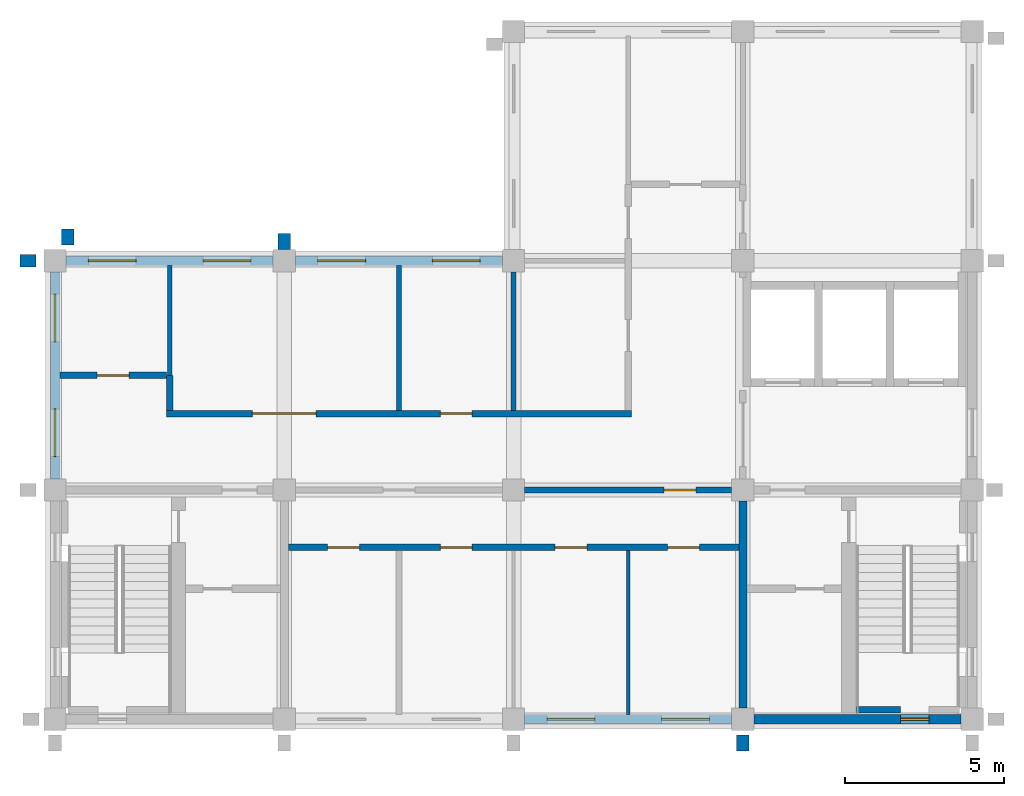
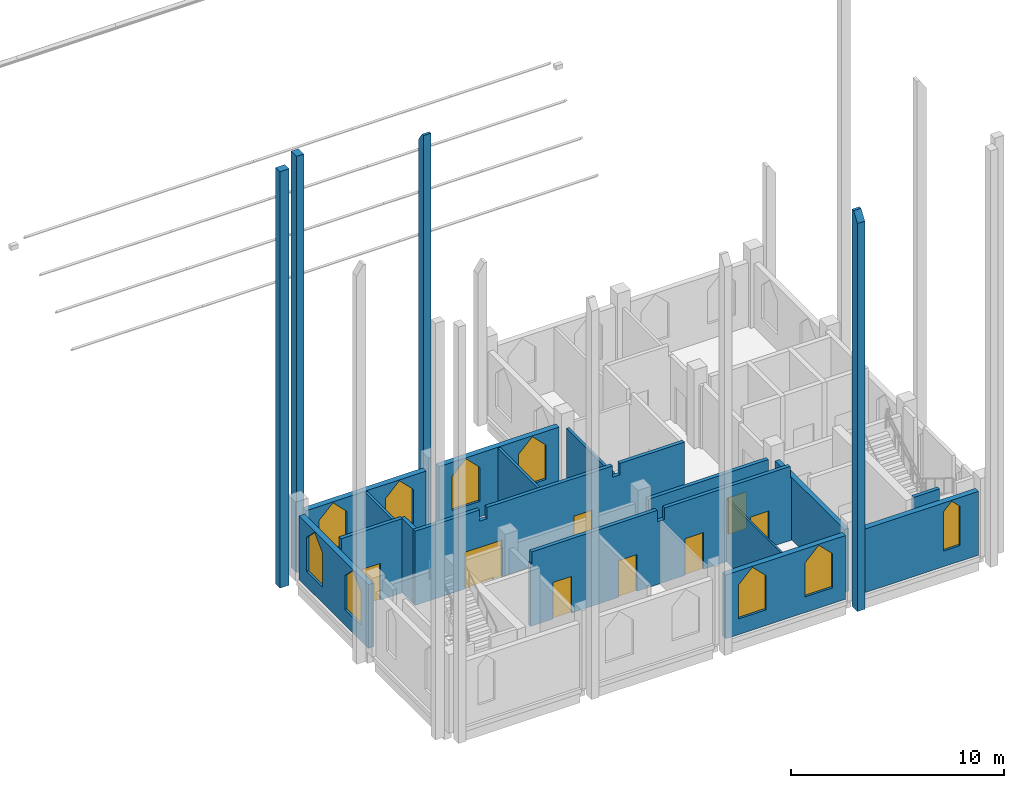
# One storey, part 4 of 7: 20 walls, 9 windows, 8 doors, 17 openings.
"""IFC4 building model written with IfcOpenShell, lengths in metres."""

import ifcopenshell
import ifcopenshell.guid

model = None  # the IFC model being written
_history = None  # IfcOwnerHistory: only IFC2X3 demands one
_inside = {}  # id of a spatial element -> (the spatial element, [elements in it])
_under = {}  # id of a project, library or spatial element -> (it, [spatial elements below it])
_declared = {}  # id of a project -> (the project, [libraries it declares])
_typed = {}  # id of a type object -> (the type object, [elements of that type])
_made_of = {}  # id of a material, layer set ... -> (it, [elements and type objects made of it])


def new_model(schema):
    """Start an empty IFC model of exactly this schema.

    Asked for "IFC4X3", IfcOpenShell would pick the latest addendum, in which some entities
    have other attributes; the version numbers below select the first issue.
    IFC2X3 requires an IfcOwnerHistory on every rooted entity: one is made here for all.
    """
    global model, _history
    if schema == "IFC4X3":
        model = ifcopenshell.file(schema_version=(4, 3, 0, 0))
    else:
        model = ifcopenshell.file(schema=schema)
    _inside.clear()
    _under.clear()
    _declared.clear()
    _typed.clear()
    _made_of.clear()
    _history = None
    if model.schema == "IFC2X3":
        org = make("IfcOrganization", Name="unknown")
        user = make(
            "IfcPersonAndOrganization",
            ThePerson=make("IfcPerson", FamilyName="unknown"),
            TheOrganization=org,
        )
        app = make(
            "IfcApplication",
            ApplicationDeveloper=org,
            Version="unknown",
            ApplicationFullName="unknown",
            ApplicationIdentifier="unknown",
        )
        _history = make(
            "IfcOwnerHistory",
            OwningUser=user,
            OwningApplication=app,
            ChangeAction="ADDED",
            CreationDate=0,
        )
    return model


def make(cls, **values):
    """One entity of the class cls with the attributes given. An attribute that is None is left unset."""
    return model.create_entity(
        cls, **{name: value for name, value in values.items() if value is not None}
    )


def rooted(cls, **values):
    """An entity with a GlobalId (a new one), such as an element, a storey or a relation."""
    return make(cls, GlobalId=ifcopenshell.guid.new(), OwnerHistory=_history, **values)


def si_unit(unit_type, name, prefix=None):
    """IfcSIUnit, for example si_unit("LENGTHUNIT", "METRE", prefix="MILLI")."""
    return make("IfcSIUnit", UnitType=unit_type, Prefix=prefix, Name=name)


def assignment(units):
    """IfcUnitAssignment: the units of a project."""
    return None if units is None else make("IfcUnitAssignment", Units=units)


def point(xyz):
    """IfcCartesianPoint."""
    return None if xyz is None else make("IfcCartesianPoint", Coordinates=xyz)


def direction(xyz):
    """IfcDirection."""
    return None if xyz is None else make("IfcDirection", DirectionRatios=xyz)


def frame(location, z_axis=None, x_axis=None):
    """IfcAxis2Placement3D, a coordinate frame: its origin and axes. An axis left out is left unset."""
    return make(
        "IfcAxis2Placement3D",
        Location=point(location),
        Axis=direction(z_axis),
        RefDirection=direction(x_axis),
    )


def frame_2d(location, x_axis=None):
    """IfcAxis2Placement2D, a coordinate frame in the plane: its origin and x axis."""
    return make(
        "IfcAxis2Placement2D", Location=point(location), RefDirection=direction(x_axis)
    )


def origin():
    """The frame at (0, 0, 0) with its axes left unset."""
    return frame((0.0, 0.0, 0.0))


def place(relative_to, where):
    """IfcLocalPlacement: puts the frame where relative to a parent placement (None: the world)."""
    return make(
        "IfcLocalPlacement", PlacementRelTo=relative_to, RelativePlacement=where
    )


def context(
    kind, dimensions, precision=None, world=None, true_north=None, identifier=None
):
    """IfcGeometricRepresentationContext, for example the 3D "Model" context."""
    return make(
        "IfcGeometricRepresentationContext",
        ContextIdentifier=identifier,
        ContextType=kind,
        CoordinateSpaceDimension=dimensions,
        Precision=precision,
        WorldCoordinateSystem=world,
        TrueNorth=true_north,
    )


def subcontext(parent, identifier, kind, view, scale=None):
    """IfcGeometricRepresentationSubContext, for example "Body" below "Model"."""
    return make(
        "IfcGeometricRepresentationSubContext",
        ContextIdentifier=identifier,
        ContextType=kind,
        ParentContext=parent,
        TargetScale=scale,
        TargetView=view,
    )


def project(units=None, contexts=None):
    """IfcProject with its units and contexts."""
    return rooted(
        "IfcProject",
        Name="project",
        RepresentationContexts=contexts,
        UnitsInContext=assignment(units),
    )


def spatial(cls, under=None, at=None, **own):
    """A site, building, storey or space (cls), placed at a placement, below another one or the project."""
    s = rooted(cls, ObjectPlacement=at, **own)
    if under is not None:
        _under.setdefault(under.id(), (under, []))[1].append(s)
    return s


def polyline(points):
    """IfcPolyline through the points."""
    return make("IfcPolyline", Points=[point(p) for p in points])


def profile(cls, at=None, kind="AREA", **sizes):
    """A parametric profile (cls). Its sizes go by their IFC names, for example OverallWidth=200.0."""
    return make(cls, ProfileType=kind, Position=at, **sizes)


def rectangle(**sizes):
    """IfcRectangleProfileDef."""
    return profile("IfcRectangleProfileDef", **sizes)


def outline(outer, holes=None, kind="AREA"):
    """IfcArbitraryClosedProfileDef: a profile drawn as a closed curve; with holes, ...WithVoids."""
    if holes is None:
        return make("IfcArbitraryClosedProfileDef", ProfileType=kind, OuterCurve=outer)
    return make(
        "IfcArbitraryProfileDefWithVoids",
        ProfileType=kind,
        OuterCurve=outer,
        InnerCurves=holes,
    )


def extrude(swept, where, along, depth):
    """IfcExtrudedAreaSolid: the profile swept, set in the frame where, extruded along a direction by depth."""
    return make(
        "IfcExtrudedAreaSolid",
        SweptArea=swept,
        Position=where,
        ExtrudedDirection=direction(along),
        Depth=depth,
    )


def shape(context_of_items, identifier, shape_type, items):
    """IfcShapeRepresentation: the items that make up one representation, for example the "Body"."""
    return make(
        "IfcShapeRepresentation",
        ContextOfItems=context_of_items,
        RepresentationIdentifier=identifier,
        RepresentationType=shape_type,
        Items=items,
    )


def material(Name=None, Category=None):
    """IfcMaterial."""
    return make("IfcMaterial", Name=Name, Category=Category)


def layer(
    of_material, thickness, ventilated=None, Name=None, Category=None, Priority=None
):
    """IfcMaterialLayer: one layer of a wall or slab, of a material (None: an air gap)."""
    return make(
        "IfcMaterialLayer",
        Material=of_material,
        LayerThickness=thickness,
        IsVentilated=ventilated,
        Name=Name,
        Category=Category,
        Priority=Priority,
    )


def layer_set(layers, Name=None):
    """IfcMaterialLayerSet."""
    return make("IfcMaterialLayerSet", MaterialLayers=layers, LayerSetName=Name)


def made_of(thing, what):
    """Note that an element or type object is made of a material, layer set ...; save() writes the relation."""
    if what is not None:
        _made_of.setdefault(what.id(), (what, []))[1].append(thing)
    return thing


def type_object(cls, material=None, **own):
    """A type object (cls), such as IfcWallType, which elements share."""
    return made_of(rooted(cls, **own), material)


def element(
    cls,
    number,
    at=None,
    inside=None,
    cuts=None,
    type_object=None,
    material=None,
    context=None,
    identifier="Body",
    shape_type=None,
    held_by="IfcProductDefinitionShape",
    body=None,
    shapes=None,
    **own,
):
    """One element of the class cls, such as IfcWall. Its Tag is "e" and its number.

    at: its placement. inside: the storey or other place that contains it. cuts: it is an
    opening in that element (IfcRelVoidsElement). A single representation is given by context,
    identifier, shape_type and body (its items); several are given by shapes. held_by: the class
    of the entity that holds the representations. save() writes the other relations.
    """
    e = rooted(cls, Tag="e%d" % number, ObjectPlacement=at, **own)
    if body is not None:
        shapes = [shape(context, identifier, shape_type, body)]
    if shapes is not None:
        e.Representation = make(held_by, Representations=shapes)
    if inside is not None:
        _inside.setdefault(inside.id(), (inside, []))[1].append(e)
    if cuts is not None:
        rooted(
            "IfcRelVoidsElement", RelatingBuildingElement=cuts, RelatedOpeningElement=e
        )
    if type_object is not None:
        _typed.setdefault(type_object.id(), (type_object, []))[1].append(e)
    return made_of(e, material)


def fill(opening, filler):
    """IfcRelFillsElement: the door or window that sits in an opening."""
    return rooted(
        "IfcRelFillsElement",
        RelatingOpeningElement=opening,
        RelatedBuildingElement=filler,
    )


def aggregate(whole, parts):
    """IfcRelAggregates: a whole, such as a stair, and the parts it consists of."""
    return rooted("IfcRelAggregates", RelatingObject=whole, RelatedObjects=parts)


def save(model, path):
    """Write the relations noted so far, then the file.

    IfcRelAggregates (storeys below a building ...), IfcRelContainedInSpatialStructure (elements
    in a storey), IfcRelDefinesByType, IfcRelAssociatesMaterial and IfcRelDeclares: one each for
    every whole, place, type object, material and project.
    """
    for whole, parts in _under.values():
        aggregate(whole, parts)
    for where, things in _inside.values():
        rooted(
            "IfcRelContainedInSpatialStructure",
            RelatedElements=things,
            RelatingStructure=where,
        )
    for kind, things in _typed.values():
        rooted("IfcRelDefinesByType", RelatedObjects=things, RelatingType=kind)
    for what, things in _made_of.values():
        rooted("IfcRelAssociatesMaterial", RelatedObjects=things, RelatingMaterial=what)
    for by, libraries in _declared.values():
        rooted("IfcRelDeclares", RelatingContext=by, RelatedDefinitions=libraries)
    model.write(path)


model = new_model("IFC4")

# Units and contexts
model_context = context("Model", 3, precision=1e-05, world=origin(), true_north=direction((0.0, 1.0)))
body_context = subcontext(model_context, "Body", "Model", "MODEL_VIEW")
ifc_project = project(units=[si_unit("LENGTHUNIT", "METRE"), si_unit("AREAUNIT", "SQUARE_METRE"), si_unit("VOLUMEUNIT", "CUBIC_METRE"), si_unit("PLANEANGLEUNIT", "RADIAN"), si_unit("MASSUNIT", "GRAM", prefix="KILO")], contexts=[model_context])

# Site, building, storey
site_placement = place(None, origin())
site = spatial("IfcSite", under=ifc_project, at=site_placement, CompositionType="ELEMENT")
building_placement = place(site_placement, origin())
building = spatial("IfcBuilding", under=site, at=building_placement, Name="Silangan Lancet Faculty of Sciences", CompositionType="ELEMENT")
storey_placement = place(building_placement, frame((0.0, 0.0, 58.800048828125)))
storey = spatial("IfcBuildingStorey", under=building, at=storey_placement, Name="L12", CompositionType="ELEMENT", Elevation=58.800048828125)

# Wall, openings, windows
ifc_material_1 = material(Name="Concrete C40/50 precast", Category="concrete")
ifc_layer_1 = layer(ifc_material_1, 0.300048828125)
ifc_layer_set_1 = layer_set([ifc_layer_1], Name="Concrete C40/50 precast")
wall_type_1 = type_object("IfcWallType", Name="EW1 Precast cladding wall", PredefinedType="STANDARD", material=ifc_layer_set_1)
wall_1_placement = place(storey_placement, frame((0.0, 7.550048828125, 0.0), z_axis=(0.0, 0.0, 1.0), x_axis=(0.0, 1.0, 0.0)))
wall_1 = element("IfcWall", 1, at=wall_1_placement, inside=storey, type_object=wall_type_1, Name="EW-L12-W-ST-U-01", PredefinedType="STANDARD", context=body_context, shape_type="SweptSolid", body=[
    extrude(rectangle(XDim=6.5, YDim=0.300048828125, at=frame_2d((3.25, 0.0))), origin(), (0.0, 0.0, 1.0), 3.64990234375),
])
opening_1_placement = place(wall_1_placement, frame((0.699951171875, 0.0, 0.89990234375)))
opening_1 = element("IfcOpeningElement", 2, at=opening_1_placement, cuts=wall_1, Name="Opening W23", PredefinedType="OPENING", context=body_context, shape_type="SweptSolid", body=[
    extrude(outline(polyline([(0.0, 0.0), (1.5, 0.0), (1.5, 1.949951171875), (0.75, 2.699951171875), (0.0, 1.949951171875), (0.0, 0.0)])), frame((0.0, 0.159912109375, 0.0), z_axis=(0.0, -1.0, 0.0), x_axis=(1.0, 0.0, 0.0)), (0.0, 0.0, 1.0), 0.320068359375),
])
opening_2_placement = place(wall_1_placement, frame((4.300048828125, 0.0, 0.89990234375)))
opening_2 = element("IfcOpeningElement", 3, at=opening_2_placement, cuts=wall_1, Name="Opening W23", PredefinedType="OPENING", context=body_context, shape_type="SweptSolid", body=[
    extrude(outline(polyline([(0.0, 0.0), (1.5, 0.0), (1.5, 1.949951171875), (0.75, 2.699951171875), (0.0, 1.949951171875), (0.0, 0.0)])), frame((0.0, 0.159912109375, 0.0), z_axis=(0.0, -1.0, 0.0), x_axis=(1.0, 0.0, 0.0)), (0.0, 0.0, 1.0), 0.320068359375),
])
ifc_material_2 = material(Name="Aluminium frame, laminated double glazing", Category="aluminium")
window_type_1 = type_object("IfcWindowType", Name="W23 Lancet window 1500 x 2700", PartitioningType="SINGLE_PANEL", PredefinedType="WINDOW", material=ifc_material_2)
window_1_placement = place(opening_1_placement, origin())
window_1 = element("IfcWindow", 4, at=window_1_placement, inside=storey, type_object=window_type_1, Name="WIN-L12-W-ST-U-01a", OverallHeight=2.699951171875, OverallWidth=1.5, PartitioningType="SINGLE_PANEL", PredefinedType="WINDOW", context=body_context, shape_type="SweptSolid", body=[
    extrude(outline(polyline([(0.0, 0.0), (1.5, 0.0), (1.5, 1.949951171875), (0.75, 2.699951171875), (0.0, 1.949951171875), (0.0, 0.0)])), frame((0.0, 0.030029296875, 0.0), z_axis=(0.0, -1.0, 0.0), x_axis=(1.0, 0.0, 0.0)), (0.0, 0.0, 1.0), 0.06005859375),
])
fill(opening_1, window_1)
window_2_placement = place(opening_2_placement, origin())
window_2 = element("IfcWindow", 5, at=window_2_placement, inside=storey, type_object=window_type_1, Name="WIN-L12-W-ST-U-01b", OverallHeight=2.699951171875, OverallWidth=1.5, PartitioningType="SINGLE_PANEL", PredefinedType="WINDOW", context=body_context, shape_type="SweptSolid", body=[
    extrude(outline(polyline([(0.0, 0.0), (1.5, 0.0), (1.5, 1.949951171875), (0.75, 2.699951171875), (0.0, 1.949951171875), (0.0, 0.0)])), frame((0.0, 0.030029296875, 0.0), z_axis=(0.0, -1.0, 0.0), x_axis=(1.0, 0.0, 0.0)), (0.0, 0.0, 1.0), 0.06005859375),
])
fill(opening_2, window_2)

wall_2_placement = place(storey_placement, frame((14.75, 0.0, 0.0), z_axis=(0.0, 0.0, 1.0), x_axis=(1.0, 0.0, 0.0)))
wall_2 = element("IfcWall", 6, at=wall_2_placement, inside=storey, type_object=wall_type_1, Name="EW-L12-S-ST-02", PredefinedType="STANDARD", context=body_context, shape_type="SweptSolid", body=[
    extrude(rectangle(XDim=6.5, YDim=0.300048828125, at=frame_2d((3.25, 0.0))), origin(), (0.0, 0.0, 1.0), 3.64990234375),
])
opening_3_placement = place(wall_2_placement, frame((0.699951171875, 0.0, 0.89990234375)))
opening_3 = element("IfcOpeningElement", 7, at=opening_3_placement, cuts=wall_2, Name="Opening W23", PredefinedType="OPENING", context=body_context, shape_type="SweptSolid", body=[
    extrude(outline(polyline([(0.0, 0.0), (1.5, 0.0), (1.5, 1.949951171875), (0.75, 2.699951171875), (0.0, 1.949951171875), (0.0, 0.0)])), frame((0.0, 0.159912109375, 0.0), z_axis=(0.0, -1.0, 0.0), x_axis=(1.0, 0.0, 0.0)), (0.0, 0.0, 1.0), 0.320068359375),
])
opening_4_placement = place(wall_2_placement, frame((4.300048828125, 0.0, 0.89990234375)))
opening_4 = element("IfcOpeningElement", 8, at=opening_4_placement, cuts=wall_2, Name="Opening W23", PredefinedType="OPENING", context=body_context, shape_type="SweptSolid", body=[
    extrude(outline(polyline([(0.0, 0.0), (1.5, 0.0), (1.5, 1.949951171875), (0.75, 2.699951171875), (0.0, 1.949951171875), (0.0, 0.0)])), frame((0.0, 0.159912109375, 0.0), z_axis=(0.0, -1.0, 0.0), x_axis=(1.0, 0.0, 0.0)), (0.0, 0.0, 1.0), 0.320068359375),
])
window_3_placement = place(opening_3_placement, origin())
window_3 = element("IfcWindow", 9, at=window_3_placement, inside=storey, type_object=window_type_1, Name="WIN-L12-S-ST-02a", OverallHeight=2.699951171875, OverallWidth=1.5, PartitioningType="SINGLE_PANEL", PredefinedType="WINDOW", context=body_context, shape_type="SweptSolid", body=[
    extrude(outline(polyline([(0.0, 0.0), (1.5, 0.0), (1.5, 1.949951171875), (0.75, 2.699951171875), (0.0, 1.949951171875), (0.0, 0.0)])), frame((0.0, 0.030029296875, 0.0), z_axis=(0.0, -1.0, 0.0), x_axis=(1.0, 0.0, 0.0)), (0.0, 0.0, 1.0), 0.06005859375),
])
fill(opening_3, window_3)
window_4_placement = place(opening_4_placement, origin())
window_4 = element("IfcWindow", 10, at=window_4_placement, inside=storey, type_object=window_type_1, Name="WIN-L12-S-ST-02b", OverallHeight=2.699951171875, OverallWidth=1.5, PartitioningType="SINGLE_PANEL", PredefinedType="WINDOW", context=body_context, shape_type="SweptSolid", body=[
    extrude(outline(polyline([(0.0, 0.0), (1.5, 0.0), (1.5, 1.949951171875), (0.75, 2.699951171875), (0.0, 1.949951171875), (0.0, 0.0)])), frame((0.0, 0.030029296875, 0.0), z_axis=(0.0, -1.0, 0.0), x_axis=(1.0, 0.0, 0.0)), (0.0, 0.0, 1.0), 0.06005859375),
])
fill(opening_4, window_4)

wall_3_placement = place(storey_placement, frame((14.050048828125, 14.39990234375, 0.0), z_axis=(0.0, 0.0, 1.0), x_axis=(-1.0, 0.0, 0.0)))
wall_3 = element("IfcWall", 11, at=wall_3_placement, inside=storey, type_object=wall_type_1, Name="EW-L12-N-ST-T-00", PredefinedType="STANDARD", context=body_context, shape_type="SweptSolid", body=[
    extrude(rectangle(XDim=6.5, YDim=0.300048828125, at=frame_2d((3.25, 0.0))), origin(), (0.0, 0.0, 1.0), 3.64990234375),
])
opening_5_placement = place(wall_3_placement, frame((0.699951171875, 0.0, 0.89990234375)))
opening_5 = element("IfcOpeningElement", 12, at=opening_5_placement, cuts=wall_3, Name="Opening W23", PredefinedType="OPENING", context=body_context, shape_type="SweptSolid", body=[
    extrude(outline(polyline([(0.0, 0.0), (1.5, 0.0), (1.5, 1.949951171875), (0.75, 2.699951171875), (0.0, 1.949951171875), (0.0, 0.0)])), frame((0.0, 0.159912109375, 0.0), z_axis=(0.0, -1.0, 0.0), x_axis=(1.0, 0.0, 0.0)), (0.0, 0.0, 1.0), 0.320068359375),
])
opening_6_placement = place(wall_3_placement, frame((4.300048828125, 0.0, 0.89990234375)))
opening_6 = element("IfcOpeningElement", 13, at=opening_6_placement, cuts=wall_3, Name="Opening W23", PredefinedType="OPENING", context=body_context, shape_type="SweptSolid", body=[
    extrude(outline(polyline([(0.0, 0.0), (1.5, 0.0), (1.5, 1.949951171875), (0.75, 2.699951171875), (0.0, 1.949951171875), (0.0, 0.0)])), frame((0.0, 0.159912109375, 0.0), z_axis=(0.0, -1.0, 0.0), x_axis=(1.0, 0.0, 0.0)), (0.0, 0.0, 1.0), 0.320068359375),
])
window_5_placement = place(opening_5_placement, origin())
window_5 = element("IfcWindow", 14, at=window_5_placement, inside=storey, type_object=window_type_1, Name="WIN-L12-N-ST-T-00a", OverallHeight=2.699951171875, OverallWidth=1.5, PartitioningType="SINGLE_PANEL", PredefinedType="WINDOW", context=body_context, shape_type="SweptSolid", body=[
    extrude(outline(polyline([(0.0, 0.0), (1.5, 0.0), (1.5, 1.949951171875), (0.75, 2.699951171875), (0.0, 1.949951171875), (0.0, 0.0)])), frame((0.0, 0.030029296875, 0.0), z_axis=(0.0, -1.0, 0.0), x_axis=(1.0, 0.0, 0.0)), (0.0, 0.0, 1.0), 0.06005859375),
])
fill(opening_5, window_5)
window_6_placement = place(opening_6_placement, origin())
window_6 = element("IfcWindow", 15, at=window_6_placement, inside=storey, type_object=window_type_1, Name="WIN-L12-N-ST-T-00b", OverallHeight=2.699951171875, OverallWidth=1.5, PartitioningType="SINGLE_PANEL", PredefinedType="WINDOW", context=body_context, shape_type="SweptSolid", body=[
    extrude(outline(polyline([(0.0, 0.0), (1.5, 0.0), (1.5, 1.949951171875), (0.75, 2.699951171875), (0.0, 1.949951171875), (0.0, 0.0)])), frame((0.0, 0.030029296875, 0.0), z_axis=(0.0, -1.0, 0.0), x_axis=(1.0, 0.0, 0.0)), (0.0, 0.0, 1.0), 0.06005859375),
])
fill(opening_6, window_6)

wall_4_placement = place(storey_placement, frame((6.85009765625, 14.39990234375, 0.0), z_axis=(0.0, 0.0, 1.0), x_axis=(-1.0, 0.0, 0.0)))
wall_4 = element("IfcWall", 16, at=wall_4_placement, inside=storey, type_object=wall_type_1, Name="EW-L12-N-ST-T-01", PredefinedType="STANDARD", context=body_context, shape_type="SweptSolid", body=[
    extrude(rectangle(XDim=6.5, YDim=0.300048828125, at=frame_2d((3.25, 0.0))), origin(), (0.0, 0.0, 1.0), 3.64990234375),
])
opening_7_placement = place(wall_4_placement, frame((0.699951171875, 0.0, 0.89990234375)))
opening_7 = element("IfcOpeningElement", 17, at=opening_7_placement, cuts=wall_4, Name="Opening W23", PredefinedType="OPENING", context=body_context, shape_type="SweptSolid", body=[
    extrude(outline(polyline([(0.0, 0.0), (1.5, 0.0), (1.5, 1.949951171875), (0.75, 2.699951171875), (0.0, 1.949951171875), (0.0, 0.0)])), frame((0.0, 0.159912109375, 0.0), z_axis=(0.0, -1.0, 0.0), x_axis=(1.0, 0.0, 0.0)), (0.0, 0.0, 1.0), 0.320068359375),
])
opening_8_placement = place(wall_4_placement, frame((4.300048828125, 0.0, 0.89990234375)))
opening_8 = element("IfcOpeningElement", 18, at=opening_8_placement, cuts=wall_4, Name="Opening W23", PredefinedType="OPENING", context=body_context, shape_type="SweptSolid", body=[
    extrude(outline(polyline([(0.0, 0.0), (1.5, 0.0), (1.5, 1.949951171875), (0.75, 2.699951171875), (0.0, 1.949951171875), (0.0, 0.0)])), frame((0.0, 0.159912109375, 0.0), z_axis=(0.0, -1.0, 0.0), x_axis=(1.0, 0.0, 0.0)), (0.0, 0.0, 1.0), 0.320068359375),
])
window_7_placement = place(opening_7_placement, origin())
window_7 = element("IfcWindow", 19, at=window_7_placement, inside=storey, type_object=window_type_1, Name="WIN-L12-N-ST-T-01a", OverallHeight=2.699951171875, OverallWidth=1.5, PartitioningType="SINGLE_PANEL", PredefinedType="WINDOW", context=body_context, shape_type="SweptSolid", body=[
    extrude(outline(polyline([(0.0, 0.0), (1.5, 0.0), (1.5, 1.949951171875), (0.75, 2.699951171875), (0.0, 1.949951171875), (0.0, 0.0)])), frame((0.0, 0.030029296875, 0.0), z_axis=(0.0, -1.0, 0.0), x_axis=(1.0, 0.0, 0.0)), (0.0, 0.0, 1.0), 0.06005859375),
])
fill(opening_7, window_7)
window_8_placement = place(opening_8_placement, origin())
window_8 = element("IfcWindow", 20, at=window_8_placement, inside=storey, type_object=window_type_1, Name="WIN-L12-N-ST-T-01b", OverallHeight=2.699951171875, OverallWidth=1.5, PartitioningType="SINGLE_PANEL", PredefinedType="WINDOW", context=body_context, shape_type="SweptSolid", body=[
    extrude(outline(polyline([(0.0, 0.0), (1.5, 0.0), (1.5, 1.949951171875), (0.75, 2.699951171875), (0.0, 1.949951171875), (0.0, 0.0)])), frame((0.0, 0.030029296875, 0.0), z_axis=(0.0, -1.0, 0.0), x_axis=(1.0, 0.0, 0.0)), (0.0, 0.0, 1.0), 0.06005859375),
])
fill(opening_8, window_8)

# Wall, opening, window
ifc_material_3 = material(Name="Concrete C40/50 precast", Category="concrete")
ifc_layer_2 = layer(ifc_material_3, 0.300048828125)
ifc_layer_set_2 = layer_set([ifc_layer_2], Name="Concrete C40/50 precast")
wall_type_2 = type_object("IfcWallType", Name="EW2 Turret enclosure wall", PredefinedType="STANDARD", material=ifc_layer_set_2)
wall_5_placement = place(storey_placement, frame((21.949951171875, 0.0, 0.0), z_axis=(0.0, 0.0, 1.0), x_axis=(1.0, 0.0, 0.0)))
wall_5 = element("IfcWall", 21, at=wall_5_placement, inside=storey, type_object=wall_type_2, Name="EW-L12-S-ST-03", PredefinedType="STANDARD", context=body_context, shape_type="SweptSolid", body=[
    extrude(rectangle(XDim=6.5, YDim=0.300048828125, at=frame_2d((3.25, 0.0))), origin(), (0.0, 0.0, 1.0), 3.64990234375),
])
opening_9_placement = place(wall_5_placement, frame((4.60009765625, 0.0, 0.89990234375)))
opening_9 = element("IfcOpeningElement", 22, at=opening_9_placement, cuts=wall_5, Name="Opening W22", PredefinedType="OPENING", context=body_context, shape_type="SweptSolid", body=[
    extrude(outline(polyline([(0.0, 0.0), (0.89990234375, 0.0), (0.89990234375, 2.25), (0.449951171875, 2.699951171875), (0.0, 2.25), (0.0, 0.0)])), frame((0.0, 0.159912109375, 0.0), z_axis=(0.0, -1.0, 0.0), x_axis=(1.0, 0.0, 0.0)), (0.0, 0.0, 1.0), 0.320068359375),
])
ifc_material_4 = material(Name="Aluminium frame, laminated double glazing", Category="aluminium")
window_type_2 = type_object("IfcWindowType", Name="W22 Lancet window 900 x 2700", PartitioningType="SINGLE_PANEL", PredefinedType="WINDOW", material=ifc_material_4)
window_9_placement = place(opening_9_placement, origin())
window_9 = element("IfcWindow", 23, at=window_9_placement, inside=storey, type_object=window_type_2, Name="WIN-L12-S-ST-03b", OverallHeight=2.699951171875, OverallWidth=0.89990234375, PartitioningType="SINGLE_PANEL", PredefinedType="WINDOW", context=body_context, shape_type="SweptSolid", body=[
    extrude(outline(polyline([(0.0, 0.0), (0.89990234375, 0.0), (0.89990234375, 2.25), (0.449951171875, 2.699951171875), (0.0, 2.25), (0.0, 0.0)])), frame((0.0, 0.030029296875, 0.0), z_axis=(0.0, -1.0, 0.0), x_axis=(1.0, 0.0, 0.0)), (0.0, 0.0, 1.0), 0.06005859375),
])
fill(opening_9, window_9)

# Walls
ifc_material_5 = material(Name="Concrete C40/50 precast", Category="concrete")
ifc_layer_3 = layer(ifc_material_5, 0.39990234375)
ifc_layer_set_3 = layer_set([ifc_layer_3], Name="Concrete C40/50 precast")
wall_type_3 = type_object("IfcWallType", Name="FN13 Buttress Fin column line stage 4 23850", PredefinedType="POLYGONAL", material=ifc_layer_set_3)
wall_6_placement = place(storey_placement, frame((0.39990234375, 14.89990234375, -0.25), z_axis=(0.0, 0.0, 1.0), x_axis=(0.0, 1.0, 0.0)))
element("IfcWall", 24, at=wall_6_placement, inside=storey, type_object=wall_type_3, Name="FINC-N-ST-T-01-S4", PredefinedType="POLYGONAL", context=body_context, shape_type="SweptSolid", body=[
    extrude(outline(polyline([(0.5, 0.0), (0.5, 23.849853515625), (0.0, 23.849853515625), (0.0, 0.0), (0.5, 0.0)])), frame((0.0, 0.199951171875, 0.0), z_axis=(0.0, -1.0, 0.0), x_axis=(1.0, 0.0, 0.0)), (0.0, 0.0, 1.0), 0.39990234375),
])
ifc_material_6 = material(Name="Concrete C40/50 precast", Category="concrete")
ifc_layer_4 = layer(ifc_material_6, 0.39990234375)
ifc_layer_set_4 = layer_set([ifc_layer_4], Name="Concrete C40/50 precast")
wall_type_4 = type_object("IfcWallType", Name="FN18 Buttress Fin column line stage 4 23850", PredefinedType="POLYGONAL", material=ifc_layer_set_4)
wall_7_placement = place(storey_placement, frame((-0.60009765625, 14.39990234375, -0.25), z_axis=(0.0, 0.0, 1.0), x_axis=(-1.0, 0.0, 0.0)))
element("IfcWall", 25, at=wall_7_placement, inside=storey, type_object=wall_type_4, Name="FINC-W-ST-03-S4", PredefinedType="POLYGONAL", context=body_context, shape_type="SweptSolid", body=[
    extrude(outline(polyline([(0.5, 0.0), (0.5, 23.849853515625), (0.0, 23.849853515625), (0.0, 0.0), (0.5, 0.0)])), frame((0.0, 0.199951171875, 0.0), z_axis=(0.0, -1.0, 0.0), x_axis=(1.0, 0.0, 0.0)), (0.0, 0.0, 1.0), 0.39990234375),
])
ifc_material_7 = material(Name="Concrete C40/50 precast", Category="concrete")
ifc_layer_5 = layer(ifc_material_7, 0.39990234375)
ifc_layer_set_5 = layer_set([ifc_layer_5], Name="Concrete C40/50 precast")
wall_type_5 = type_object("IfcWallType", Name="FN31 Buttress Fin column line stage 4 22750", PredefinedType="POLYGONAL", material=ifc_layer_set_5)
wall_8_placement = place(storey_placement, frame((21.60009765625, -0.5, -0.25), z_axis=(0.0, 0.0, 1.0), x_axis=(0.0, -1.0, 0.0)))
element("IfcWall", 26, at=wall_8_placement, inside=storey, type_object=wall_type_5, Name="FINC-S-ST-04-S4", PredefinedType="POLYGONAL", context=body_context, shape_type="SweptSolid", body=[
    extrude(outline(polyline([(0.5, 0.0), (0.5, 22.224853515625), (0.14990234375, 22.75), (0.0, 22.75), (0.0, 0.0), (0.5, 0.0)])), frame((0.0, 0.199951171875, 0.0), z_axis=(0.0, -1.0, 0.0), x_axis=(1.0, 0.0, 0.0)), (0.0, 0.0, 1.0), 0.39990234375),
])
ifc_material_8 = material(Name="Concrete C40/50 precast", Category="concrete")
ifc_layer_6 = layer(ifc_material_8, 0.39990234375)
ifc_layer_set_6 = layer_set([ifc_layer_6], Name="Concrete C40/50 precast")
wall_type_6 = type_object("IfcWallType", Name="FN33 Buttress Fin column line stage 4 22750", PredefinedType="POLYGONAL", material=ifc_layer_set_6)
wall_9_placement = place(storey_placement, frame((7.199951171875, 14.75, -0.25), z_axis=(0.0, 0.0, 1.0), x_axis=(0.0, 1.0, 0.0)))
element("IfcWall", 27, at=wall_9_placement, inside=storey, type_object=wall_type_6, Name="FINC-N-ST-T-02-S4", PredefinedType="POLYGONAL", context=body_context, shape_type="SweptSolid", body=[
    extrude(outline(polyline([(0.5, 0.0), (0.5, 22.224853515625), (0.14990234375, 22.75), (0.0, 22.75), (0.0, 0.0), (0.5, 0.0)])), frame((0.0, 0.199951171875, 0.0), z_axis=(0.0, -1.0, 0.0), x_axis=(1.0, 0.0, 0.0)), (0.0, 0.0, 1.0), 0.39990234375),
])

# Wall, openings, doors
ifc_material_9 = material(Name="Hollow block masonry fm 7 MPa", Category="masonry")
ifc_layer_7 = layer(ifc_material_9, 0.199951171875)
ifc_layer_set_7 = layer_set([ifc_layer_7], Name="Hollow block masonry fm 7 MPa")
wall_type_7 = type_object("IfcWallType", Name="Interior wall PW1 Corridor wall CHB 200", PredefinedType="PARTITIONING", material=ifc_layer_set_7)
wall_10_placement = place(storey_placement, frame((7.324951171875, 5.39990234375, 0.0), z_axis=(0.0, 0.0, 1.0), x_axis=(1.0, 0.0, 0.0)))
wall_10 = element("IfcWall", 28, at=wall_10_placement, inside=storey, type_object=wall_type_7, Name="Corridor wall CHB 200", PredefinedType="PARTITIONING", context=body_context, shape_type="SweptSolid", body=[
    extrude(outline(polyline([(0.0, 0.0), (14.150146484375, 0.0), (14.150146484375, 3.599853515625), (14.074951171875, 3.599853515625), (14.074951171875, 4.25), (7.27490234375, 4.25), (7.27490234375, 3.599853515625), (6.875, 3.599853515625), (6.875, 4.25), (0.074951171875, 4.25), (0.074951171875, 3.599853515625), (0.0, 3.599853515625), (0.0, 0.0)])), frame((0.0, 0.10009765625, 0.0), z_axis=(0.0, -1.0, 0.0), x_axis=(1.0, 0.0, 0.0)), (0.0, 0.0, 1.0), 0.199951171875),
])
opening_10_placement = place(wall_10_placement, frame((1.237548828125, 0.0, 0.0)))
opening_10 = element("IfcOpeningElement", 29, at=opening_10_placement, cuts=wall_10, Name="Opening L12-004", PredefinedType="OPENING", context=body_context, shape_type="SweptSolid", body=[
    extrude(rectangle(XDim=1.0, YDim=2.10009765625, at=frame_2d((0.5, 1.050048828125))), frame((0.0, 0.10986328125, 0.0), z_axis=(0.0, -1.0, 0.0), x_axis=(1.0, 0.0, 0.0)), (0.0, 0.0, 1.0), 0.219970703125),
])
opening_11_placement = place(wall_10_placement, frame((4.77490234375, 0.0, 0.0)))
opening_11 = element("IfcOpeningElement", 30, at=opening_11_placement, cuts=wall_10, Name="Opening L12-005", PredefinedType="OPENING", context=body_context, shape_type="SweptSolid", body=[
    extrude(rectangle(XDim=1.0, YDim=2.10009765625, at=frame_2d((0.5, 1.050048828125))), frame((0.0, 0.10986328125, 0.0), z_axis=(0.0, -1.0, 0.0), x_axis=(1.0, 0.0, 0.0)), (0.0, 0.0, 1.0), 0.219970703125),
])
opening_12_placement = place(wall_10_placement, frame((8.375, 0.0, 0.0)))
opening_12 = element("IfcOpeningElement", 31, at=opening_12_placement, cuts=wall_10, Name="Opening L12-006", PredefinedType="OPENING", context=body_context, shape_type="SweptSolid", body=[
    extrude(rectangle(XDim=1.0, YDim=2.10009765625, at=frame_2d((0.5, 1.050048828125))), frame((0.0, 0.10986328125, 0.0), z_axis=(0.0, -1.0, 0.0), x_axis=(1.0, 0.0, 0.0)), (0.0, 0.0, 1.0), 0.219970703125),
])
opening_13_placement = place(wall_10_placement, frame((11.91259765625, 0.0, 0.0)))
opening_13 = element("IfcOpeningElement", 32, at=opening_13_placement, cuts=wall_10, Name="Opening L12-007", PredefinedType="OPENING", context=body_context, shape_type="SweptSolid", body=[
    extrude(rectangle(XDim=1.0, YDim=2.10009765625, at=frame_2d((0.5, 1.050048828125))), frame((0.0, 0.10986328125, 0.0), z_axis=(0.0, -1.0, 0.0), x_axis=(1.0, 0.0, 0.0)), (0.0, 0.0, 1.0), 0.219970703125),
])
ifc_material_10 = material(Name="Steel fire door set", Category="steel")
door_type_1 = type_object("IfcDoorType", Name="Door D1 Single leaf fire door 1000 x 2100", OperationType="SINGLE_SWING_LEFT", PredefinedType="DOOR", material=ifc_material_10)
door_1_placement = place(opening_10_placement, frame((1.0, 0.0, 0.0), z_axis=(0.0, 0.0, 1.0), x_axis=(-1.0, 0.0, 0.0)))
door_1 = element("IfcDoor", 33, at=door_1_placement, inside=storey, type_object=door_type_1, Name="Single leaf fire door 1000 x 2100", OperationType="SINGLE_SWING_LEFT", OverallHeight=2.10009765625, OverallWidth=1.0, PredefinedType="DOOR", context=body_context, shape_type="SweptSolid", body=[
    extrude(rectangle(XDim=1.0, YDim=2.10009765625, at=frame_2d((0.5, 1.050048828125))), frame((0.0, 0.025146484375, 0.0), z_axis=(0.0, -1.0, 0.0), x_axis=(1.0, 0.0, 0.0)), (0.0, 0.0, 1.0), 0.050048828125),
])
fill(opening_10, door_1)
door_2_placement = place(opening_11_placement, frame((1.0, 0.0, 0.0), z_axis=(0.0, 0.0, 1.0), x_axis=(-1.0, 0.0, 0.0)))
door_2 = element("IfcDoor", 34, at=door_2_placement, inside=storey, type_object=door_type_1, Name="Single leaf fire door 1000 x 2100", OperationType="SINGLE_SWING_RIGHT", OverallHeight=2.10009765625, OverallWidth=1.0, PredefinedType="DOOR", context=body_context, shape_type="SweptSolid", body=[
    extrude(rectangle(XDim=1.0, YDim=2.10009765625, at=frame_2d((0.5, 1.050048828125))), frame((0.0, 0.025146484375, 0.0), z_axis=(0.0, -1.0, 0.0), x_axis=(1.0, 0.0, 0.0)), (0.0, 0.0, 1.0), 0.050048828125),
])
fill(opening_11, door_2)
door_3_placement = place(opening_12_placement, frame((1.0, 0.0, 0.0), z_axis=(0.0, 0.0, 1.0), x_axis=(-1.0, 0.0, 0.0)))
door_3 = element("IfcDoor", 35, at=door_3_placement, inside=storey, type_object=door_type_1, Name="Single leaf fire door 1000 x 2100", OperationType="SINGLE_SWING_LEFT", OverallHeight=2.10009765625, OverallWidth=1.0, PredefinedType="DOOR", context=body_context, shape_type="SweptSolid", body=[
    extrude(rectangle(XDim=1.0, YDim=2.10009765625, at=frame_2d((0.5, 1.050048828125))), frame((0.0, 0.025146484375, 0.0), z_axis=(0.0, -1.0, 0.0), x_axis=(1.0, 0.0, 0.0)), (0.0, 0.0, 1.0), 0.050048828125),
])
fill(opening_12, door_3)
door_4_placement = place(opening_13_placement, frame((1.0, 0.0, 0.0), z_axis=(0.0, 0.0, 1.0), x_axis=(-1.0, 0.0, 0.0)))
door_4 = element("IfcDoor", 36, at=door_4_placement, inside=storey, type_object=door_type_1, Name="Single leaf fire door 1000 x 2100", OperationType="SINGLE_SWING_RIGHT", OverallHeight=2.10009765625, OverallWidth=1.0, PredefinedType="DOOR", context=body_context, shape_type="SweptSolid", body=[
    extrude(rectangle(XDim=1.0, YDim=2.10009765625, at=frame_2d((0.5, 1.050048828125))), frame((0.0, 0.025146484375, 0.0), z_axis=(0.0, -1.0, 0.0), x_axis=(1.0, 0.0, 0.0)), (0.0, 0.0, 1.0), 0.050048828125),
])
fill(opening_13, door_4)

# Wall, opening, door
wall_11_placement = place(storey_placement, frame((14.75, 7.199951171875, 0.0), z_axis=(0.0, 0.0, 1.0), x_axis=(1.0, 0.0, 0.0)))
wall_11 = element("IfcWall", 37, at=wall_11_placement, inside=storey, type_object=wall_type_7, Name="Corridor wall CHB 200", PredefinedType="PARTITIONING", context=body_context, shape_type="SweptSolid", body=[
    extrude(rectangle(XDim=6.5, YDim=0.199951171875, at=frame_2d((3.25, 0.0))), origin(), (0.0, 0.0, 1.0), 3.599853515625),
])
opening_14_placement = place(wall_11_placement, frame((4.375, 0.0, 0.0)))
opening_14 = element("IfcOpeningElement", 38, at=opening_14_placement, cuts=wall_11, Name="Opening L12-003", PredefinedType="OPENING", context=body_context, shape_type="SweptSolid", body=[
    extrude(rectangle(XDim=1.0, YDim=2.10009765625, at=frame_2d((0.5, 1.050048828125))), frame((0.0, 0.10986328125, 0.0), z_axis=(0.0, -1.0, 0.0), x_axis=(1.0, 0.0, 0.0)), (0.0, 0.0, 1.0), 0.219970703125),
])
door_5_placement = place(opening_14_placement, frame((1.0, 0.0, 0.0), z_axis=(0.0, 0.0, 1.0), x_axis=(-1.0, 0.0, 0.0)))
door_5 = element("IfcDoor", 39, at=door_5_placement, inside=storey, type_object=door_type_1, Name="Single leaf fire door 1000 x 2100", OperationType="SINGLE_SWING_RIGHT", OverallHeight=2.10009765625, OverallWidth=1.0, PredefinedType="DOOR", context=body_context, shape_type="SweptSolid", body=[
    extrude(rectangle(XDim=1.0, YDim=2.10009765625, at=frame_2d((0.5, 1.050048828125))), frame((0.0, 0.025146484375, 0.0), z_axis=(0.0, -1.0, 0.0), x_axis=(1.0, 0.0, 0.0)), (0.0, 0.0, 1.0), 0.050048828125),
])
fill(opening_14, door_5)

# Wall, openings, doors
wall_12_placement = place(storey_placement, frame((3.5, 9.60009765625, 0.0), z_axis=(0.0, 0.0, 1.0), x_axis=(1.0, 0.0, 0.0)))
wall_12 = element("IfcWall", 40, at=wall_12_placement, inside=storey, type_object=wall_type_7, Name="Corridor wall CHB 200", PredefinedType="PARTITIONING", context=body_context, shape_type="SweptSolid", body=[
    extrude(outline(polyline([(0.0, 0.0), (14.60009765625, 0.0), (14.60009765625, 4.25), (11.10009765625, 4.25), (11.10009765625, 3.599853515625), (10.699951171875, 3.599853515625), (10.699951171875, 4.25), (3.89990234375, 4.25), (3.89990234375, 3.599853515625), (3.5, 3.599853515625), (3.5, 4.25), (0.0, 4.25), (0.0, 0.0)])), frame((0.0, 0.10009765625, 0.0), z_axis=(0.0, -1.0, 0.0), x_axis=(1.0, 0.0, 0.0)), (0.0, 0.0, 1.0), 0.199951171875),
])
opening_15_placement = place(wall_12_placement, frame((2.699951171875, 0.0, 0.0)))
opening_15 = element("IfcOpeningElement", 41, at=opening_15_placement, cuts=wall_12, Name="Opening L12-012", PredefinedType="OPENING", context=body_context, shape_type="SweptSolid", body=[
    extrude(rectangle(XDim=2.0, YDim=2.10009765625, at=frame_2d((1.0, 1.050048828125))), frame((0.0, 0.10986328125, 0.0), z_axis=(0.0, -1.0, 0.0), x_axis=(1.0, 0.0, 0.0)), (0.0, 0.0, 1.0), 0.219970703125),
])
opening_16_placement = place(wall_12_placement, frame((8.60009765625, 0.0, 0.0)))
opening_16 = element("IfcOpeningElement", 42, at=opening_16_placement, cuts=wall_12, Name="Opening L12-013", PredefinedType="OPENING", context=body_context, shape_type="SweptSolid", body=[
    extrude(rectangle(XDim=1.0, YDim=2.10009765625, at=frame_2d((0.5, 1.050048828125))), frame((0.0, 0.10986328125, 0.0), z_axis=(0.0, -1.0, 0.0), x_axis=(1.0, 0.0, 0.0)), (0.0, 0.0, 1.0), 0.219970703125),
])
door_6_placement = place(opening_16_placement, origin())
door_6 = element("IfcDoor", 43, at=door_6_placement, inside=storey, type_object=door_type_1, Name="Single leaf fire door 1000 x 2100", OperationType="SINGLE_SWING_LEFT", OverallHeight=2.10009765625, OverallWidth=1.0, PredefinedType="DOOR", context=body_context, shape_type="SweptSolid", body=[
    extrude(rectangle(XDim=1.0, YDim=2.10009765625, at=frame_2d((0.5, 1.050048828125))), frame((0.0, 0.02490234375, 0.0), z_axis=(0.0, -1.0, 0.0), x_axis=(1.0, 0.0, 0.0)), (0.0, 0.0, 1.0), 0.050048828125),
])
fill(opening_16, door_6)
ifc_material_11 = material(Name="Steel fire door set", Category="steel")
door_type_2 = type_object("IfcDoorType", Name="Door D4 Double leaf fire door 2000 x 2100", OperationType="DOUBLE_DOOR_SINGLE_SWING", PredefinedType="DOOR", material=ifc_material_11)
door_7_placement = place(opening_15_placement, origin())
door_7 = element("IfcDoor", 44, at=door_7_placement, inside=storey, type_object=door_type_2, Name="Double leaf fire door 2000 x 2100", OperationType="DOUBLE_DOOR_SINGLE_SWING", OverallHeight=2.10009765625, OverallWidth=2.0, PredefinedType="DOOR", context=body_context, shape_type="SweptSolid", body=[
    extrude(rectangle(XDim=2.0, YDim=2.10009765625, at=frame_2d((1.0, 1.050048828125))), frame((0.0, 0.02490234375, 0.0), z_axis=(0.0, -1.0, 0.0), x_axis=(1.0, 0.0, 0.0)), (0.0, 0.0, 1.0), 0.050048828125),
])
fill(opening_15, door_7)

# Wall, opening, door
wall_13_placement = place(storey_placement, frame((0.14990234375, 10.800048828125, 0.0), z_axis=(0.0, 0.0, 1.0), x_axis=(1.0, 0.0, 0.0)))
wall_13 = element("IfcWall", 45, at=wall_13_placement, inside=storey, type_object=wall_type_7, Name="Corridor wall CHB 200", PredefinedType="PARTITIONING", context=body_context, shape_type="SweptSolid", body=[
    extrude(outline(polyline([(0.0, 0.0), (3.35009765625, 0.0), (3.35009765625, 4.25), (0.050048828125, 4.25), (0.050048828125, 3.64990234375), (0.0, 3.64990234375), (0.0, 0.0)])), frame((0.0, 0.10009765625, 0.0), z_axis=(0.0, -1.0, 0.0), x_axis=(1.0, 0.0, 0.0)), (0.0, 0.0, 1.0), 0.199951171875),
])
opening_17_placement = place(wall_13_placement, frame((1.175048828125, 0.0, 0.0)))
opening_17 = element("IfcOpeningElement", 46, at=opening_17_placement, cuts=wall_13, Name="Opening L12-011", PredefinedType="OPENING", context=body_context, shape_type="SweptSolid", body=[
    extrude(rectangle(XDim=1.0, YDim=2.10009765625, at=frame_2d((0.5, 1.050048828125))), frame((0.0, 0.10986328125, 0.0), z_axis=(0.0, -1.0, 0.0), x_axis=(1.0, 0.0, 0.0)), (0.0, 0.0, 1.0), 0.219970703125),
])
door_8_placement = place(opening_17_placement, origin())
door_8 = element("IfcDoor", 47, at=door_8_placement, inside=storey, type_object=door_type_1, Name="Single leaf fire door 1000 x 2100", OperationType="SINGLE_SWING_LEFT", OverallHeight=2.10009765625, OverallWidth=1.0, PredefinedType="DOOR", context=body_context, shape_type="SweptSolid", body=[
    extrude(rectangle(XDim=1.0, YDim=2.10009765625, at=frame_2d((0.5, 1.050048828125))), frame((0.0, 0.02490234375, 0.0), z_axis=(0.0, -1.0, 0.0), x_axis=(1.0, 0.0, 0.0)), (0.0, 0.0, 1.0), 0.050048828125),
])
fill(opening_17, door_8)

# Walls
wall_14_placement = place(storey_placement, frame((3.60009765625, 9.699951171875, 0.0), z_axis=(0.0, 0.0, 1.0), x_axis=(0.0, 1.0, 0.0)))
element("IfcWall", 48, at=wall_14_placement, inside=storey, type_object=wall_type_7, Name="Corridor wall CHB 200", PredefinedType="PARTITIONING", context=body_context, shape_type="SweptSolid", body=[
    extrude(rectangle(XDim=1.10009765625, YDim=0.199951171875, at=frame_2d((0.550048828125, 0.0))), origin(), (0.0, 0.0, 1.0), 4.25),
])
ifc_material_12 = material(Name="Hollow block masonry fm 7 MPa", Category="masonry")
ifc_layer_8 = layer(ifc_material_12, 0.14990234375)
ifc_layer_set_8 = layer_set([ifc_layer_8], Name="Hollow block masonry fm 7 MPa")
wall_type_8 = type_object("IfcWallType", Name="Interior wall PW3 Partition CHB 150", PredefinedType="PARTITIONING", material=ifc_layer_set_8)
wall_15_placement = place(storey_placement, frame((3.60009765625, 10.800048828125, 0.0), z_axis=(0.0, 0.0, 1.0), x_axis=(0.0, 1.0, 0.0)))
element("IfcWall", 49, at=wall_15_placement, inside=storey, type_object=wall_type_8, Name="Partition CHB 150", PredefinedType="PARTITIONING", context=body_context, shape_type="SweptSolid", body=[
    extrude(rectangle(XDim=3.449951171875, YDim=0.14990234375, at=frame_2d((1.72509765625, 0.0))), origin(), (0.0, 0.0, 1.0), 3.599853515625),
])
wall_16_placement = place(storey_placement, frame((10.800048828125, 9.699951171875, 0.0), z_axis=(0.0, 0.0, 1.0), x_axis=(0.0, 1.0, 0.0)))
element("IfcWall", 50, at=wall_16_placement, inside=storey, type_object=wall_type_8, Name="Partition CHB 150", PredefinedType="PARTITIONING", context=body_context, shape_type="SweptSolid", body=[
    extrude(rectangle(XDim=4.550048828125, YDim=0.14990234375, at=frame_2d((2.27490234375, 0.0))), origin(), (0.0, 0.0, 1.0), 3.599853515625),
])
wall_17_placement = place(storey_placement, frame((14.39990234375, 9.699951171875, 0.0), z_axis=(0.0, 0.0, 1.0), x_axis=(0.0, 1.0, 0.0)))
element("IfcWall", 51, at=wall_17_placement, inside=storey, type_object=wall_type_8, Name="Partition CHB 150", PredefinedType="PARTITIONING", context=body_context, shape_type="SweptSolid", body=[
    extrude(rectangle(XDim=4.35009765625, YDim=0.14990234375, at=frame_2d((2.175048828125, 0.0))), origin(), (0.0, 0.0, 1.0), 3.599853515625),
])
ifc_material_13 = material(Name="Hollow block masonry fm 7 MPa", Category="masonry")
ifc_layer_9 = layer(ifc_material_13, 0.10009765625)
ifc_layer_set_9 = layer_set([ifc_layer_9], Name="Hollow block masonry fm 7 MPa")
wall_type_9 = type_object("IfcWallType", Name="Interior wall PW8 WC partition CHB 100", PredefinedType="PARTITIONING", material=ifc_layer_set_9)
wall_18_placement = place(storey_placement, frame((18.0, 0.14990234375, 0.0), z_axis=(0.0, 0.0, 1.0), x_axis=(0.0, 1.0, 0.0)))
element("IfcWall", 52, at=wall_18_placement, inside=storey, type_object=wall_type_9, Name="WC partition CHB 100", PredefinedType="PARTITIONING", context=body_context, shape_type="SweptSolid", body=[
    extrude(rectangle(XDim=5.150146484375, YDim=0.10009765625, at=frame_2d((2.5751953125, 0.0))), origin(), (0.0, 0.0, 1.0), 3.599853515625),
])
ifc_material_14 = material(Name="Concrete C40/50", Category="concrete")
ifc_layer_10 = layer(ifc_material_14, 0.199951171875)
ifc_layer_set_10 = layer_set([ifc_layer_10], Name="Concrete C40/50")
wall_type_10 = type_object("IfcWallType", Name="TURRET LINING WALL RC 200", PredefinedType="SHEAR", material=ifc_layer_set_10)
wall_19_placement = place(storey_placement, frame((25.14990234375, 0.300048828125, -0.25), z_axis=(0.0, 0.0, 1.0), x_axis=(1.0, 0.0, 0.0)))
element("IfcWall", 53, at=wall_19_placement, inside=storey, type_object=wall_type_10, Name="WALL-L12-ST-B-WLD", PredefinedType="SHEAR", context=body_context, shape_type="SweptSolid", body=[
    extrude(rectangle(XDim=1.400146484375, YDim=0.199951171875, at=frame_2d((0.7001953125, 0.0))), origin(), (0.0, 0.0, 1.0), 4.5),
])
ifc_material_15 = material(Name="Concrete C40/50", Category="concrete")
ifc_layer_11 = layer(ifc_material_15, 0.25)
ifc_layer_set_11 = layer_set([ifc_layer_11], Name="Concrete C40/50")
wall_type_11 = type_object("IfcWallType", Name="TURRET WALL RC 250", PredefinedType="SHEAR", material=ifc_layer_set_11)
wall_20_placement = place(storey_placement, frame((21.60009765625, 0.35009765625, 0.0), z_axis=(0.0, 0.0, 1.0), x_axis=(0.0, 1.0, 0.0)))
element("IfcWall", 54, at=wall_20_placement, inside=storey, type_object=wall_type_11, Name="WALL-L12-ST-B-O", PredefinedType="SHEAR", context=body_context, shape_type="SweptSolid", body=[
    extrude(rectangle(XDim=6.5, YDim=0.25, at=frame_2d((3.25, 0.0))), origin(), (0.0, 0.0, 1.0), 3.599853515625),
])

save(model, "model.ifc")
